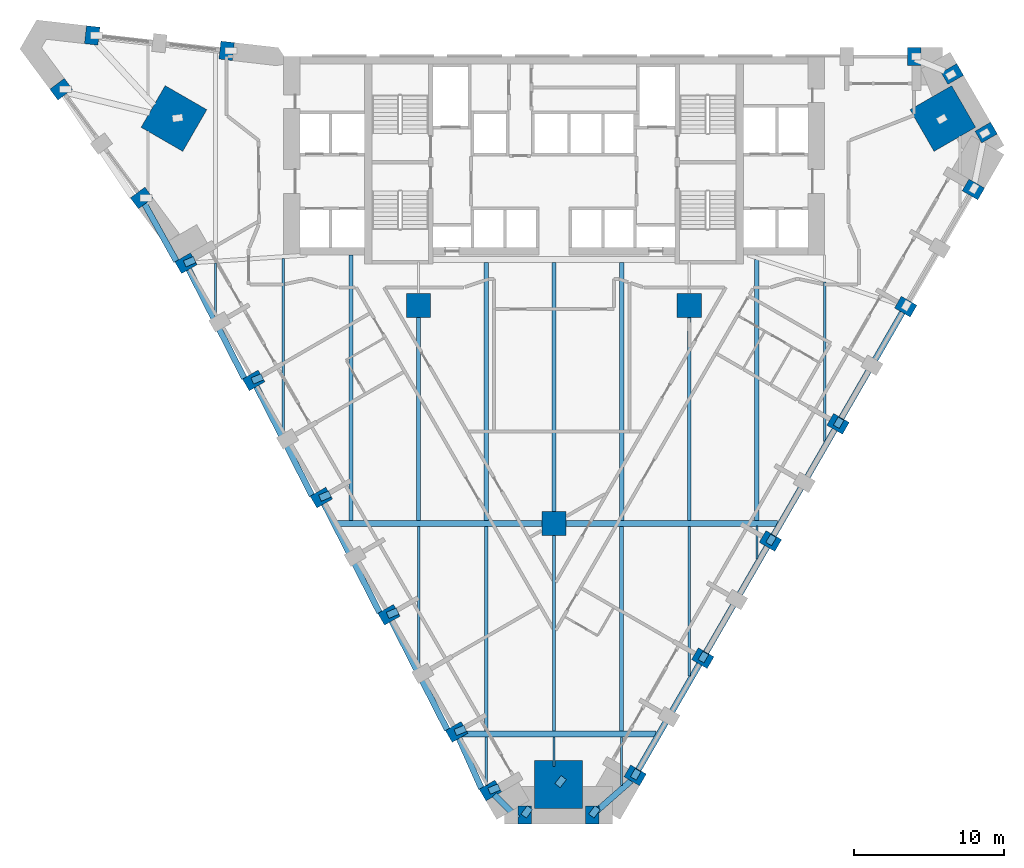
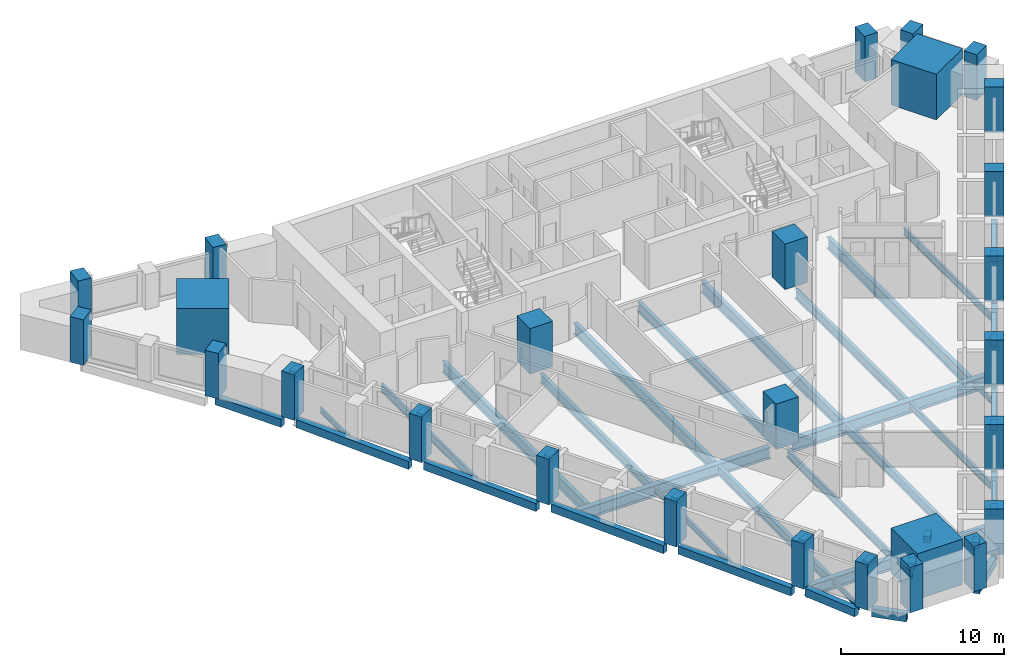
# One storey, part 1 of 10: 47 beams, 27 columns.
"""IFC4 building model written with IfcOpenShell, lengths in metres."""

from ifc_helpers import new_model, si_unit, direction, frame, origin, origin_2d, place, context, subcontext, project, spatial, rectangle, i_section, extrude, material, material_profile, profile_set, type_object, element, save


model = new_model("IFC4")

# Units and contexts
model_context = context("Model", 3, precision=1e-05, world=origin(), true_north=direction((0.0, 1.0)))
body_context = subcontext(model_context, "Body", "Model", "MODEL_VIEW")
ifc_project = project(units=[si_unit("LENGTHUNIT", "METRE"), si_unit("AREAUNIT", "SQUARE_METRE"), si_unit("VOLUMEUNIT", "CUBIC_METRE"), si_unit("PLANEANGLEUNIT", "RADIAN"), si_unit("MASSUNIT", "GRAM", prefix="KILO")], contexts=[model_context])

# Site, building, storey
site_placement = place(None, origin())
site = spatial("IfcSite", under=ifc_project, at=site_placement, CompositionType="ELEMENT")
building_placement = place(site_placement, origin())
building = spatial("IfcBuilding", under=site, at=building_placement, Name="Calabash Gate Tower", CompositionType="ELEMENT")
storey_placement = place(building_placement, frame((0.0, 0.0, 63.0)))
storey = spatial("IfcBuildingStorey", under=building, at=storey_placement, Name="L11", CompositionType="ELEMENT", Elevation=63.0)

# Columns
ifc_material_1 = material(Name="Concrete C80/95", Category="concrete")
ifc_material_profile_1 = material_profile(ifc_material_1, rectangle(XDim=1.60009765625, YDim=1.60009765625, at=origin_2d()))
ifc_profile_set_1 = profile_set([ifc_material_profile_1], Name="Concrete C80/95")
column_type_1 = type_object("IfcColumnType", Name="Interior column RC 1600x1600 Concrete C80/95", PredefinedType="COLUMN", material=ifc_profile_set_1)
for number, where, z_axis, x_axis, name in (
    (1, (-9.0, 2.5, 0.0), (0.0, 0.0, 1.0), (1.0, 0.0, 0.0), "Interior column L11 I0"),
    (2, (9.0, 2.5, 0.0), (0.0, 0.0, 1.0), (1.0, 0.0, 0.0), "Interior column L11 I1"),
    (3, (0.0, -12.0, 0.0), (0.0, 0.0, 1.0), (1.0, 0.0, 0.0), "Interior column L11 I2"),
):
    element("IfcColumn", number, at=place(storey_placement, frame(where, z_axis=z_axis, x_axis=x_axis)), inside=storey, type_object=column_type_1, Name=name, PredefinedType="COLUMN", context=body_context, shape_type="SweptSolid", body=[
        extrude(rectangle(XDim=1.60009765625, YDim=1.60009765625, at=origin_2d()), origin(), (0.0, 0.0, 1.0), 3.39990234375),
    ])
ifc_material_2 = material(Name="Concrete C80/95", Category="concrete")
ifc_material_profile_2 = material_profile(ifc_material_2, rectangle(XDim=3.199951171875, YDim=3.199951171875, at=origin_2d()))
ifc_profile_set_2 = profile_set([ifc_material_profile_2], Name="Concrete C80/95")
column_type_2 = type_object("IfcColumnType", Name="Mega column RC 3200x3200 Concrete C80/95", PredefinedType="COLUMN", material=ifc_profile_set_2)
for number, where, z_axis, x_axis, name in (
    (4, (-25.27197265625, 14.93701171875, 0.0), (0.0, 0.0, 1.0), (0.866025412511, -0.499999984885, 0.0), "Mega column L11 NW"),
    (5, (25.868896484375, 14.93701171875, 0.0), (0.0, 0.0, 1.0), (-0.866025412511, -0.499999984885, 0.0), "Mega column L11 NE"),
    (6, (0.298095703125, -29.35400390625, 0.0), (0.0, 0.0, 1.0), (0.0, 1.0, 0.0), "Mega column L11 S"),
):
    element("IfcColumn", number, at=place(storey_placement, frame(where, z_axis=z_axis, x_axis=x_axis)), inside=storey, type_object=column_type_2, Name=name, PredefinedType="COLUMN", context=body_context, shape_type="SweptSolid", body=[
        extrude(rectangle(XDim=3.199951171875, YDim=3.199951171875, at=origin_2d()), origin(), (0.0, 0.0, 1.0), 3.39990234375),
    ])
ifc_material_3 = material(Name="Concrete C70/85", Category="concrete")
ifc_material_profile_3 = material_profile(ifc_material_3, rectangle(XDim=0.89990234375, YDim=1.199951171875, at=origin_2d()))
ifc_profile_set_3 = profile_set([ifc_material_profile_3], Name="Concrete C70/85")
column_type_3 = type_object("IfcColumnType", Name="Perimeter column RC 900x1200 Concrete C70/85", PredefinedType="COLUMN", material=ifc_profile_set_3)
for number, where, z_axis, x_axis, name in (
    (7, (-24.469970703125, 5.31103515625, 0.0), (0.0, 0.0, 1.0), (0.500000015115, -0.866025395058, 0.0), "Perimeter column L11 P00"),
    (8, (-19.969970703125, -2.48291015625, 0.0), (0.0, 0.0, 1.0), (0.500000015115, -0.866025395058, 0.0), "Perimeter column L11 P01"),
    (9, (-15.469970703125, -10.277099609375, 0.0), (0.0, 0.0, 1.0), (0.500000015115, -0.866025395058, 0.0), "Perimeter column L11 P02"),
    (10, (-10.969970703125, -18.072021484375, 0.0), (0.0, 0.0, 1.0), (0.500000015115, -0.866025395058, 0.0), "Perimeter column L11 P03"),
    (11, (-6.469970703125, -25.865966796875, 0.0), (0.0, 0.0, 1.0), (0.500000015115, -0.866025395058, 0.0), "Perimeter column L11 P04"),
    (12, (-4.219970703125, -29.762939453125, 0.0), (0.0, 0.0, 1.0), (0.500000015115, -0.866025395058, 0.0), "Perimeter column L11 P05"),
    (13, (-1.951904296875, -31.3798828125, 0.0), (0.0, 0.0, 1.0), (1.0, 0.0, 0.0), "Perimeter column L11 P06"),
    (14, (2.548095703125, -31.3798828125, 0.0), (0.0, 0.0, 1.0), (1.0, 0.0, 0.0), "Perimeter column L11 P07"),
    (15, (5.39892578125, -28.7529296875, 0.0), (0.0, 0.0, 1.0), (0.500000015115, 0.866025395058, 0.0), "Perimeter column L11 P08"),
    (16, (9.89892578125, -20.958984375, 0.0), (0.0, 0.0, 1.0), (0.500000015115, 0.866025395058, 0.0), "Perimeter column L11 P09"),
    (17, (14.39892578125, -13.1630859375, 0.0), (0.0, 0.0, 1.0), (0.500000015115, 0.866025395058, 0.0), "Perimeter column L11 P10"),
    (18, (18.89892578125, -5.37109375, 0.0), (0.0, 0.0, 1.0), (0.500000015115, 0.866025395058, 0.0), "Perimeter column L11 P11"),
    (19, (23.39892578125, 2.423095703125, 0.0), (0.0, 0.0, 1.0), (0.500000015115, 0.866025395058, 0.0), "Perimeter column L11 P12"),
    (20, (27.89892578125, 10.218017578125, 0.0), (0.0, 0.0, 1.0), (0.500000015115, 0.866025395058, 0.0), "Perimeter column L11 P13"),
    (21, (28.748046875, 14.0, 0.0), (0.0, 0.0, 1.0), (-0.499999984885, 0.866025412511, 0.0), "Perimeter column L11 P14"),
    (22, (26.498046875, 17.89697265625, 0.0), (0.0, 0.0, 1.0), (-0.499999984885, 0.866025412511, 0.0), "Perimeter column L11 P15"),
    (23, (23.964111328125, 19.052978515625, 0.0), (0.0, 0.0, 1.0), (-1.0, 0.0, 0.0), "Perimeter column L11 P16"),
    (24, (-21.77001953125, 19.43798828125, 0.0), (0.0, 0.0, 1.0), (-0.993506319736, 0.113776942504, 0.0), "Perimeter column L11 P17"),
    (25, (-30.7119140625, 20.4619140625, 0.0), (0.0, 0.0, 1.0), (-0.993506319736, 0.113776942504, 0.0), "Perimeter column L11 P18"),
    (26, (-32.778076171875, 16.883056640625, 0.0), (0.0, 0.0, 1.0), (0.595286896465, -0.80351323007, 0.0), "Perimeter column L11 P19"),
    (27, (-27.4208984375, 9.65087890625, 0.0), (0.0, 0.0, 1.0), (0.595286896465, -0.80351323007, 0.0), "Perimeter column L11 P20"),
):
    element("IfcColumn", number, at=place(storey_placement, frame(where, z_axis=z_axis, x_axis=x_axis)), inside=storey, type_object=column_type_3, Name=name, PredefinedType="COLUMN", context=body_context, shape_type="SweptSolid", body=[
        extrude(rectangle(XDim=0.89990234375, YDim=1.199951171875, at=origin_2d()), origin(), (0.0, 0.0, 1.0), 3.39990234375),
    ])

# Beams
ifc_material_4 = material(Name="Concrete C80/95", Category="concrete")
ifc_material_profile_4 = material_profile(ifc_material_4, rectangle(XDim=0.449951171875, YDim=0.449951171875, at=origin_2d()))
ifc_profile_set_4 = profile_set([ifc_material_profile_4], Name="Concrete C80/95")
beam_type_1 = type_object("IfcBeamType", Name="Column offset link RC 450x450 Concrete C80/95", PredefinedType="BEAM", material=ifc_profile_set_4)
for number, where, z_axis, x_axis, name in (
    (28, (-24.56201171875, 5.27197265625, 3.00390625), (0.922112578583, 0.386921687709, 0.0), (-0.386921687709, 0.922112578583, 0.0), "Column offset link L11 P00"),
    (29, (-20.06201171875, -2.52197265625, 3.00390625), (0.922112578583, 0.386921687709, 0.0), (-0.386921687709, 0.922112578583, 0.0), "Column offset link L11 P01"),
    (30, (-15.56201171875, -10.31591796875, 3.00390625), (0.922233326358, 0.386633795412, 0.0), (-0.386633795412, 0.922233326358, 0.0), "Column offset link L11 P02"),
    (31, (-11.06201171875, -18.110107421875, 3.00390625), (0.922112578583, 0.386921687709, 0.0), (-0.386921687709, 0.922112578583, 0.0), "Column offset link L11 P03"),
):
    element("IfcBeam", number, at=place(storey_placement, frame(where, z_axis=z_axis, x_axis=x_axis)), inside=storey, type_object=beam_type_1, Name=name, PredefinedType="BEAM", context=body_context, shape_type="SweptSolid", body=[
        extrude(rectangle(XDim=0.449951171875, YDim=0.449951171875, at=origin_2d()), origin(), (0.0, 0.0, 1.0), 0.72119140625),
    ])
beam_1_placement = place(storey_placement, frame((-6.56201171875, -25.903076171875, 3.00390625), z_axis=(0.923076923077, 0.384615384615, 0.0), x_axis=(-0.384615384615, 0.923076923077, 0.0)))
element("IfcBeam", 32, at=beam_1_placement, inside=storey, type_object=beam_type_1, Name="Column offset link L11 P04", PredefinedType="BEAM", context=body_context, shape_type="SweptSolid", body=[
    extrude(rectangle(XDim=0.449951171875, YDim=0.449951171875, at=origin_2d()), origin(), (0.0, 0.0, 1.0), 0.720458984375),
])
beam_2_placement = place(storey_placement, frame((-4.31201171875, -29.802001953125, 3.00390625), z_axis=(0.922112578583, 0.386921687709, 0.0), x_axis=(-0.386921687709, 0.922112578583, 0.0)))
element("IfcBeam", 33, at=beam_2_placement, inside=storey, type_object=beam_type_1, Name="Column offset link L11 P05", PredefinedType="BEAM", context=body_context, shape_type="SweptSolid", body=[
    extrude(rectangle(XDim=0.449951171875, YDim=0.449951171875, at=origin_2d()), origin(), (0.0, 0.0, 1.0), 0.72119140625),
])
for number, where, z_axis, x_axis, name in (
    (34, (-2.010986328125, -31.4599609375, 3.00390625), (0.595194215099, 0.803581885257, 0.0), (-0.803581885257, 0.595194215099, 0.0), "Column offset link L11 P06"),
    (35, (2.489013671875, -31.4599609375, 3.00390625), (0.595194215099, 0.803581885257, 0.0), (-0.803581885257, 0.595194215099, 0.0), "Column offset link L11 P07"),
):
    element("IfcBeam", number, at=place(storey_placement, frame(where, z_axis=z_axis, x_axis=x_axis)), inside=storey, type_object=beam_type_1, Name=name, PredefinedType="BEAM", context=body_context, shape_type="SweptSolid", body=[
        extrude(rectangle(XDim=0.449951171875, YDim=0.449951171875, at=origin_2d()), origin(), (0.0, 0.0, 1.0), 0.70068359375),
    ])
beam_3_placement = place(storey_placement, frame((5.282958984375, -28.9541015625, 3.00390625), z_axis=(0.500225913189, 0.86589493345, 0.0), x_axis=(-0.86589493345, 0.500225913189, 0.0)))
element("IfcBeam", 36, at=beam_3_placement, inside=storey, type_object=beam_type_1, Name="Column offset link L11 P08", PredefinedType="BEAM", context=body_context, shape_type="SweptSolid", body=[
    extrude(rectangle(XDim=0.449951171875, YDim=0.449951171875, at=origin_2d()), origin(), (0.0, 0.0, 1.0), 0.629638671875),
])
for number, where, z_axis, x_axis, name in (
    (37, (9.782958984375, -21.159912109375, 3.00390625), (0.49972245349, 0.866185586049, 0.0), (-0.866185586049, 0.49972245349, 0.0), "Column offset link L11 P09"),
    (38, (14.282958984375, -13.365966796875, 3.00390625), (0.49972245349, 0.866185586049, 0.0), (-0.866185586049, 0.49972245349, 0.0), "Column offset link L11 P10"),
):
    element("IfcBeam", number, at=place(storey_placement, frame(where, z_axis=z_axis, x_axis=x_axis)), inside=storey, type_object=beam_type_1, Name=name, PredefinedType="BEAM", context=body_context, shape_type="SweptSolid", body=[
        extrude(rectangle(XDim=0.449951171875, YDim=0.449951171875, at=origin_2d()), origin(), (0.0, 0.0, 1.0), 0.630126953125),
    ])
beam_4_placement = place(storey_placement, frame((18.782958984375, -5.571044921875, 3.00390625), z_axis=(0.500225913189, 0.86589493345, 0.0), x_axis=(-0.86589493345, 0.500225913189, 0.0)))
element("IfcBeam", 39, at=beam_4_placement, inside=storey, type_object=beam_type_1, Name="Column offset link L11 P11", PredefinedType="BEAM", context=body_context, shape_type="SweptSolid", body=[
    extrude(rectangle(XDim=0.449951171875, YDim=0.449951171875, at=origin_2d()), origin(), (0.0, 0.0, 1.0), 0.629638671875),
])
beam_5_placement = place(storey_placement, frame((0.236083984375, -29.43310546875, 3.00390625), z_axis=(0.617695248054, 0.78641756118, 0.0), x_axis=(-0.78641756118, 0.617695248054, 0.0)))
element("IfcBeam", 40, at=beam_5_placement, inside=storey, type_object=beam_type_1, Name="Column offset link L11 S", PredefinedType="BEAM", context=body_context, shape_type="SweptSolid", body=[
    extrude(rectangle(XDim=0.449951171875, YDim=0.449951171875, at=origin_2d()), origin(), (0.0, 0.0, 1.0), 0.682861328125),
])
ifc_material_5 = material(Name="Concrete C60/75", Category="concrete")
ifc_material_profile_5 = material_profile(ifc_material_5, rectangle(XDim=0.39990234375, YDim=0.60009765625, at=origin_2d()))
ifc_profile_set_5 = profile_set([ifc_material_profile_5], Name="Concrete C60/75")
beam_type_2 = type_object("IfcBeamType", Name="Edge beam RC 400x600 Concrete C60/75", PredefinedType="BEAM", material=ifc_profile_set_5)
beam_6_placement = place(storey_placement, frame((-19.822998046875, -2.822998046875, -0.469970703125), z_axis=(0.454264260372, -0.890866983196, 0.0), x_axis=(0.890866983196, 0.454264260372, 0.0)))
element("IfcBeam", 41, at=beam_6_placement, inside=storey, type_object=beam_type_2, Name="Edge beam L11 1", PredefinedType="BEAM", context=body_context, shape_type="SweptSolid", body=[
    extrude(rectangle(XDim=0.39990234375, YDim=0.60009765625, at=origin_2d()), origin(), (0.0, 0.0, 1.0), 8.2109375),
])
for number, where, z_axis, x_axis, name in (
    (42, (-15.322998046875, -10.618896484375, -0.469970703125), (0.454360539812, -0.890817882545, 0.0), (0.890817882545, 0.454360539812, 0.0), "Edge beam L11 2"),
    (43, (-10.822998046875, -18.4130859375, -0.469970703125), (0.454360539812, -0.890817882545, 0.0), (0.890817882545, 0.454360539812, 0.0), "Edge beam L11 3"),
):
    element("IfcBeam", number, at=place(storey_placement, frame(where, z_axis=z_axis, x_axis=x_axis)), inside=storey, type_object=beam_type_2, Name=name, PredefinedType="BEAM", context=body_context, shape_type="SweptSolid", body=[
        extrude(rectangle(XDim=0.39990234375, YDim=0.60009765625, at=origin_2d()), origin(), (0.0, 0.0, 1.0), 8.209228515625),
    ])
beam_7_placement = place(storey_placement, frame((-6.345947265625, -26.2080078125, -0.469970703125), z_axis=(0.407168420861, -0.913353095497, 0.0), x_axis=(0.913353095497, 0.407168420861, 0.0)))
element("IfcBeam", 44, at=beam_7_placement, inside=storey, type_object=beam_type_2, Name="Edge beam L11 4", PredefinedType="BEAM", context=body_context, shape_type="SweptSolid", body=[
    extrude(rectangle(XDim=0.39990234375, YDim=0.60009765625, at=origin_2d()), origin(), (0.0, 0.0, 1.0), 3.738037109375),
])
beam_8_placement = place(storey_placement, frame((-3.968017578125, -30.0458984375, -0.469970703125), z_axis=(0.710457811309, -0.703739794491, 0.0), x_axis=(0.703739794491, 0.710457811309, 0.0)))
element("IfcBeam", 45, at=beam_8_placement, inside=storey, type_object=beam_type_2, Name="Edge beam L11 5", PredefinedType="BEAM", context=body_context, shape_type="SweptSolid", body=[
    extrude(rectangle(XDim=0.39990234375, YDim=0.60009765625, at=origin_2d()), origin(), (0.0, 0.0, 1.0), 2.216796875),
])
beam_9_placement = place(storey_placement, frame((2.681884765625, -31.26904296875, -0.469970703125), z_axis=(0.750281511821, 0.66111848637, 0.0), x_axis=(-0.66111848637, 0.750281511821, 0.0)))
element("IfcBeam", 46, at=beam_9_placement, inside=storey, type_object=beam_type_2, Name="Edge beam L11 6", PredefinedType="BEAM", context=body_context, shape_type="SweptSolid", body=[
    extrude(rectangle(XDim=0.39990234375, YDim=0.60009765625, at=origin_2d()), origin(), (0.0, 0.0, 1.0), 3.27490234375),
])
for number, where, z_axis, x_axis, name in (
    (47, (5.468017578125, -28.634033203125, -0.469970703125), (0.499990825162, 0.866030700815, 0.0), (-0.866030700815, 0.499990825162, 0.0), "Edge beam L11 7"),
    (48, (9.968017578125, -20.840087890625, -0.469970703125), (0.499990825162, 0.866030700815, 0.0), (-0.866030700815, 0.499990825162, 0.0), "Edge beam L11 8"),
):
    element("IfcBeam", number, at=place(storey_placement, frame(where, z_axis=z_axis, x_axis=x_axis)), inside=storey, type_object=beam_type_2, Name=name, PredefinedType="BEAM", context=body_context, shape_type="SweptSolid", body=[
        extrude(rectangle(XDim=0.39990234375, YDim=0.60009765625, at=origin_2d()), origin(), (0.0, 0.0, 1.0), 8.426025390625),
    ])
for number, where, z_axis, x_axis, name in (
    (49, (14.468017578125, -13.0458984375, -0.469970703125), (0.500003371769, 0.866023457084, 0.0), (-0.866023457084, 0.500003371769, 0.0), "Edge beam L11 9"),
    (50, (18.968017578125, -5.2509765625, -0.469970703125), (0.500003371769, 0.866023457084, 0.0), (-0.866023457084, 0.500003371769, 0.0), "Edge beam L11 10"),
):
    element("IfcBeam", number, at=place(storey_placement, frame(where, z_axis=z_axis, x_axis=x_axis)), inside=storey, type_object=beam_type_2, Name=name, PredefinedType="BEAM", context=body_context, shape_type="SweptSolid", body=[
        extrude(rectangle(XDim=0.39990234375, YDim=0.60009765625, at=origin_2d()), origin(), (0.0, 0.0, 1.0), 8.42578125),
    ])
beam_10_placement = place(storey_placement, frame((-27.402099609375, 9.56396484375, -0.469970703125), z_axis=(0.48667111806, -0.873585269362, 0.0), x_axis=(0.873585269362, 0.48667111806, 0.0)))
element("IfcBeam", 51, at=beam_10_placement, inside=storey, type_object=beam_type_2, Name="Edge beam L11 18", PredefinedType="BEAM", context=body_context, shape_type="SweptSolid", body=[
    extrude(rectangle(XDim=0.39990234375, YDim=0.60009765625, at=origin_2d()), origin(), (0.0, 0.0, 1.0), 4.716064453125),
])
beam_11_placement = place(storey_placement, frame((-24.322998046875, 4.969970703125, -0.469970703125), z_axis=(0.454360539812, -0.890817882545, 0.0), x_axis=(0.890817882545, 0.454360539812, 0.0)))
element("IfcBeam", 52, at=beam_11_placement, inside=storey, type_object=beam_type_2, Name="Edge beam L11 19", PredefinedType="BEAM", context=body_context, shape_type="SweptSolid", body=[
    extrude(rectangle(XDim=0.39990234375, YDim=0.60009765625, at=origin_2d()), origin(), (0.0, 0.0, 1.0), 8.209228515625),
])
ifc_material_6 = material(Name="Steel ASTM A992 Gr50", Category="steel")
ifc_material_profile_6 = material_profile(ifc_material_6, i_section(OverallWidth=0.1396484375, OverallDepth=0.398681640625, WebThickness=0.00634765625, FlangeThickness=0.0087890625, FilletRadius=0.01025390625, at=origin_2d()))
ifc_profile_set_6 = profile_set([ifc_material_profile_6], Name="Steel ASTM A992 Gr50")
beam_type_3 = type_object("IfcBeamType", Name="Floor beam W16x26 ASTM A992 Gr50", PredefinedType="BEAM", material=ifc_profile_set_6)
beam_12_placement = place(storey_placement, frame((-22.5, 1.806884765625, -0.368896484375), z_axis=(0.0, 1.0, 0.0), x_axis=(-1.0, 0.0, 0.0)))
element("IfcBeam", 53, at=beam_12_placement, inside=storey, type_object=beam_type_3, Name="Floor beam L11 3", PredefinedType="BEAM", context=body_context, shape_type="SweptSolid", body=[
    extrude(i_section(OverallWidth=0.1396484375, OverallDepth=0.398681640625, WebThickness=0.00634765625, FlangeThickness=0.0087890625, FilletRadius=0.01025390625, at=origin_2d()), origin(), (0.0, 0.0, 1.0), 3.525146484375),
])
beam_13_placement = place(storey_placement, frame((-4.5, -29.428955078125, -0.368896484375), z_axis=(0.0, 1.0, 0.0), x_axis=(-1.0, 0.0, 0.0)))
element("IfcBeam", 54, at=beam_13_placement, inside=storey, type_object=beam_type_3, Name="Floor beam L11 10", PredefinedType="BEAM", context=body_context, shape_type="SweptSolid", body=[
    extrude(i_section(OverallWidth=0.1396484375, OverallDepth=0.398681640625, WebThickness=0.00634765625, FlangeThickness=0.0087890625, FilletRadius=0.01025390625, at=origin_2d()), origin(), (0.0, 0.0, 1.0), 3.22998046875),
])
beam_14_placement = place(storey_placement, frame((0.0, -28.14599609375, -0.368896484375), z_axis=(0.0, 1.0, 0.0), x_axis=(-1.0, 0.0, 0.0)))
element("IfcBeam", 55, at=beam_14_placement, inside=storey, type_object=beam_type_3, Name="Floor beam L11 13", PredefinedType="BEAM", context=body_context, shape_type="SweptSolid", body=[
    extrude(i_section(OverallWidth=0.1396484375, OverallDepth=0.398681640625, WebThickness=0.00634765625, FlangeThickness=0.0087890625, FilletRadius=0.01025390625, at=origin_2d()), origin(), (0.0, 0.0, 1.0), 1.947021484375),
])
beam_15_placement = place(storey_placement, frame((4.5, -29.431884765625, -0.368896484375), z_axis=(0.0, 1.0, 0.0), x_axis=(-1.0, 0.0, 0.0)))
element("IfcBeam", 56, at=beam_15_placement, inside=storey, type_object=beam_type_3, Name="Floor beam L11 16", PredefinedType="BEAM", context=body_context, shape_type="SweptSolid", body=[
    extrude(i_section(OverallWidth=0.1396484375, OverallDepth=0.398681640625, WebThickness=0.00634765625, FlangeThickness=0.0087890625, FilletRadius=0.01025390625, at=origin_2d()), origin(), (0.0, 0.0, 1.0), 3.23291015625),
])
beam_16_placement = place(storey_placement, frame((13.5, -14.35400390625, -0.368896484375), z_axis=(0.0, 1.0, 0.0), x_axis=(-1.0, 0.0, 0.0)))
element("IfcBeam", 57, at=beam_16_placement, inside=storey, type_object=beam_type_3, Name="Floor beam L11 22", PredefinedType="BEAM", context=body_context, shape_type="SweptSolid", body=[
    extrude(i_section(OverallWidth=0.1396484375, OverallDepth=0.398681640625, WebThickness=0.00634765625, FlangeThickness=0.0087890625, FilletRadius=0.01025390625, at=origin_2d()), origin(), (0.0, 0.0, 1.0), 2.176025390625),
])
ifc_material_7 = material(Name="Steel ASTM A992 Gr50", Category="steel")
ifc_material_profile_7 = material_profile(ifc_material_7, i_section(OverallWidth=0.15234375, OverallDepth=0.44970703125, WebThickness=0.007568359375, FlangeThickness=0.0107421875, FilletRadius=0.01025390625, at=origin_2d()))
ifc_profile_set_7 = profile_set([ifc_material_profile_7], Name="Steel ASTM A992 Gr50")
beam_type_4 = type_object("IfcBeamType", Name="Floor beam W18x35 ASTM A992 Gr50", PredefinedType="BEAM", material=ifc_profile_set_7)
beam_17_placement = place(storey_placement, frame((-9.0, -21.572998046875, -0.39306640625), z_axis=(0.0, 1.0, 0.0), x_axis=(-1.0, 0.0, 0.0)))
element("IfcBeam", 58, at=beam_17_placement, inside=storey, type_object=beam_type_4, Name="Floor beam L11 7", PredefinedType="BEAM", context=body_context, shape_type="SweptSolid", body=[
    extrude(i_section(OverallWidth=0.15234375, OverallDepth=0.44970703125, WebThickness=0.007568359375, FlangeThickness=0.0107421875, FilletRadius=0.01025390625, at=origin_2d()), origin(), (0.0, 0.0, 1.0), 9.3740234375),
])
ifc_material_8 = material(Name="Steel ASTM A992 Gr50", Category="steel")
ifc_material_profile_8 = material_profile(ifc_material_8, i_section(OverallWidth=0.166015625, OverallDepth=0.5283203125, WebThickness=0.009765625, FlangeThickness=0.013671875, FilletRadius=0.0126953125, at=origin_2d()))
ifc_profile_set_8 = profile_set([ifc_material_profile_8], Name="Steel ASTM A992 Gr50")
beam_type_5 = type_object("IfcBeamType", Name="Floor beam W21x50 ASTM A992 Gr50", PredefinedType="BEAM", material=ifc_profile_set_8)
beam_18_placement = place(storey_placement, frame((9.0, -22.14892578125, -0.43408203125), z_axis=(0.0, 1.0, 0.0), x_axis=(-1.0, 0.0, 0.0)))
element("IfcBeam", 59, at=beam_18_placement, inside=storey, type_object=beam_type_5, Name="Floor beam L11 19", PredefinedType="BEAM", context=body_context, shape_type="SweptSolid", body=[
    extrude(i_section(OverallWidth=0.166015625, OverallDepth=0.5283203125, WebThickness=0.009765625, FlangeThickness=0.013671875, FilletRadius=0.0126953125, at=origin_2d()), origin(), (0.0, 0.0, 1.0), 9.93896484375),
])
beam_19_placement = place(storey_placement, frame((18.0, -6.56005859375, -0.43408203125), z_axis=(0.0, 1.0, 0.0), x_axis=(-1.0, 0.0, 0.0)))
element("IfcBeam", 60, at=beam_19_placement, inside=storey, type_object=beam_type_5, Name="Floor beam L11 24", PredefinedType="BEAM", context=body_context, shape_type="SweptSolid", body=[
    extrude(i_section(OverallWidth=0.166015625, OverallDepth=0.5283203125, WebThickness=0.009765625, FlangeThickness=0.013671875, FilletRadius=0.0126953125, at=origin_2d()), origin(), (0.0, 0.0, 1.0), 10.631103515625),
])
ifc_material_9 = material(Name="Steel ASTM A992 Gr50", Category="steel")
ifc_material_profile_9 = material_profile(ifc_material_9, i_section(OverallWidth=0.1787109375, OverallDepth=0.60205078125, WebThickness=0.010986328125, FlangeThickness=0.014892578125, FilletRadius=0.0126953125, at=origin_2d()))
ifc_profile_set_9 = profile_set([ifc_material_profile_9], Name="Steel ASTM A992 Gr50")
beam_type_6 = type_object("IfcBeamType", Name="Floor beam W24x62 ASTM A992 Gr50", PredefinedType="BEAM", material=ifc_profile_set_9)
beam_20_placement = place(storey_placement, frame((-18.0, -5.987060546875, -0.470947265625), z_axis=(0.0, 1.0, 0.0), x_axis=(-1.0, 0.0, 0.0)))
element("IfcBeam", 61, at=beam_20_placement, inside=storey, type_object=beam_type_6, Name="Floor beam L11 5", PredefinedType="BEAM", context=body_context, shape_type="SweptSolid", body=[
    extrude(i_section(OverallWidth=0.1787109375, OverallDepth=0.60205078125, WebThickness=0.010986328125, FlangeThickness=0.014892578125, FilletRadius=0.0126953125, at=origin_2d()), origin(), (0.0, 0.0, 1.0), 11.623046875),
])
beam_21_placement = place(storey_placement, frame((0.0, -25.801025390625, -0.470947265625), z_axis=(0.0, 1.0, 0.0), x_axis=(-1.0, 0.0, 0.0)))
element("IfcBeam", 62, at=beam_21_placement, inside=storey, type_object=beam_type_6, Name="Floor beam L11 14", PredefinedType="BEAM", context=body_context, shape_type="SweptSolid", body=[
    extrude(i_section(OverallWidth=0.1787109375, OverallDepth=0.60205078125, WebThickness=0.010986328125, FlangeThickness=0.014892578125, FilletRadius=0.0126953125, at=origin_2d()), origin(), (0.0, 0.0, 1.0), 13.0009765625),
])
ifc_material_10 = material(Name="Steel ASTM A992 Gr50", Category="steel")
ifc_material_profile_10 = material_profile(ifc_material_10, i_section(OverallWidth=0.25390625, OverallDepth=0.67822265625, WebThickness=0.01171875, FlangeThickness=0.016357421875, FilletRadius=0.01513671875, at=origin_2d()))
ifc_profile_set_10 = profile_set([ifc_material_profile_10], Name="Steel ASTM A992 Gr50")
beam_type_7 = type_object("IfcBeamType", Name="Floor beam W27x84 ASTM A992 Gr50", PredefinedType="BEAM", material=ifc_profile_set_10)
beam_22_placement = place(storey_placement, frame((-9.0, -11.801025390625, -0.509033203125), z_axis=(0.0, 1.0, 0.0), x_axis=(-1.0, 0.0, 0.0)))
element("IfcBeam", 63, at=beam_22_placement, inside=storey, type_object=beam_type_7, Name="Floor beam L11 8", PredefinedType="BEAM", context=body_context, shape_type="SweptSolid", body=[
    extrude(i_section(OverallWidth=0.25390625, OverallDepth=0.67822265625, WebThickness=0.01171875, FlangeThickness=0.016357421875, FilletRadius=0.01513671875, at=origin_2d()), origin(), (0.0, 0.0, 1.0), 13.5009765625),
])
beam_23_placement = place(storey_placement, frame((-4.5, -25.801025390625, -0.509033203125), z_axis=(0.0, 1.0, 0.0), x_axis=(-1.0, 0.0, 0.0)))
element("IfcBeam", 64, at=beam_23_placement, inside=storey, type_object=beam_type_7, Name="Floor beam L11 11", PredefinedType="BEAM", context=body_context, shape_type="SweptSolid", body=[
    extrude(i_section(OverallWidth=0.25390625, OverallDepth=0.67822265625, WebThickness=0.01171875, FlangeThickness=0.016357421875, FilletRadius=0.01513671875, at=origin_2d()), origin(), (0.0, 0.0, 1.0), 13.60205078125),
])
beam_24_placement = place(storey_placement, frame((4.5, -25.801025390625, -0.509033203125), z_axis=(0.0, 1.0, 0.0), x_axis=(-1.0, 0.0, 0.0)))
element("IfcBeam", 65, at=beam_24_placement, inside=storey, type_object=beam_type_7, Name="Floor beam L11 17", PredefinedType="BEAM", context=body_context, shape_type="SweptSolid", body=[
    extrude(i_section(OverallWidth=0.25390625, OverallDepth=0.67822265625, WebThickness=0.01171875, FlangeThickness=0.016357421875, FilletRadius=0.01513671875, at=origin_2d()), origin(), (0.0, 0.0, 1.0), 13.591064453125),
])
beam_25_placement = place(storey_placement, frame((9.0, -11.7900390625, -0.509033203125), z_axis=(0.0, 1.0, 0.0), x_axis=(-1.0, 0.0, 0.0)))
element("IfcBeam", 66, at=beam_25_placement, inside=storey, type_object=beam_type_7, Name="Floor beam L11 20", PredefinedType="BEAM", context=body_context, shape_type="SweptSolid", body=[
    extrude(i_section(OverallWidth=0.25390625, OverallDepth=0.67822265625, WebThickness=0.01171875, FlangeThickness=0.016357421875, FilletRadius=0.01513671875, at=origin_2d()), origin(), (0.0, 0.0, 1.0), 13.489990234375),
])
ifc_material_11 = material(Name="Steel ASTM A992 Gr50", Category="steel")
ifc_material_profile_11 = material_profile(ifc_material_11, i_section(OverallWidth=0.2666015625, OverallDepth=0.7568359375, WebThickness=0.013916015625, FlangeThickness=0.019287109375, FilletRadius=0.0166015625, at=origin_2d()))
ifc_profile_set_11 = profile_set([ifc_material_profile_11], Name="Steel ASTM A992 Gr50")
beam_type_8 = type_object("IfcBeamType", Name="Floor beam W30x108 ASTM A992 Gr50", PredefinedType="BEAM", material=ifc_profile_set_11)
beam_26_placement = place(storey_placement, frame((0.0, -11.199951171875, -0.548095703125), z_axis=(0.0, 1.0, 0.0), x_axis=(-1.0, 0.0, 0.0)))
element("IfcBeam", 67, at=beam_26_placement, inside=storey, type_object=beam_type_8, Name="Floor beam L11 15", PredefinedType="BEAM", context=body_context, shape_type="SweptSolid", body=[
    extrude(i_section(OverallWidth=0.2666015625, OverallDepth=0.7568359375, WebThickness=0.013916015625, FlangeThickness=0.019287109375, FilletRadius=0.0166015625, at=origin_2d()), origin(), (0.0, 0.0, 1.0), 16.552001953125),
])
ifc_material_12 = material(Name="Steel ASTM A992 Gr50", Category="steel")
ifc_material_profile_12 = material_profile(ifc_material_12, i_section(OverallWidth=0.2919921875, OverallDepth=0.845703125, WebThickness=0.015380859375, FlangeThickness=0.0244140625, FilletRadius=0.017822265625, at=origin_2d()))
ifc_profile_set_12 = profile_set([ifc_material_profile_12], Name="Steel ASTM A992 Gr50")
beam_type_9 = type_object("IfcBeamType", Name="Floor beam W33x141 ASTM A992 Gr50", PredefinedType="BEAM", material=ifc_profile_set_12)
beam_27_placement = place(storey_placement, frame((-13.5, -11.801025390625, -0.593017578125), z_axis=(0.0, 1.0, 0.0), x_axis=(-1.0, 0.0, 0.0)))
element("IfcBeam", 68, at=beam_27_placement, inside=storey, type_object=beam_type_9, Name="Floor beam L11 6", PredefinedType="BEAM", context=body_context, shape_type="SweptSolid", body=[
    extrude(i_section(OverallWidth=0.2919921875, OverallDepth=0.845703125, WebThickness=0.015380859375, FlangeThickness=0.0244140625, FilletRadius=0.017822265625, at=origin_2d()), origin(), (0.0, 0.0, 1.0), 17.654052734375),
])
beam_28_placement = place(storey_placement, frame((-4.5, -11.801025390625, -0.593017578125), z_axis=(0.0, 1.0, 0.0), x_axis=(-1.0, 0.0, 0.0)))
element("IfcBeam", 69, at=beam_28_placement, inside=storey, type_object=beam_type_9, Name="Floor beam L11 12", PredefinedType="BEAM", context=body_context, shape_type="SweptSolid", body=[
    extrude(i_section(OverallWidth=0.2919921875, OverallDepth=0.845703125, WebThickness=0.015380859375, FlangeThickness=0.0244140625, FilletRadius=0.017822265625, at=origin_2d()), origin(), (0.0, 0.0, 1.0), 17.153076171875),
])
beam_29_placement = place(storey_placement, frame((4.5, -11.7900390625, -0.593017578125), z_axis=(0.0, 1.0, 0.0), x_axis=(-1.0, 0.0, 0.0)))
element("IfcBeam", 70, at=beam_29_placement, inside=storey, type_object=beam_type_9, Name="Floor beam L11 18", PredefinedType="BEAM", context=body_context, shape_type="SweptSolid", body=[
    extrude(i_section(OverallWidth=0.2919921875, OverallDepth=0.845703125, WebThickness=0.015380859375, FlangeThickness=0.0244140625, FilletRadius=0.017822265625, at=origin_2d()), origin(), (0.0, 0.0, 1.0), 17.14208984375),
])
beam_30_placement = place(storey_placement, frame((13.5, -11.7900390625, -0.593017578125), z_axis=(0.0, 1.0, 0.0), x_axis=(-1.0, 0.0, 0.0)))
element("IfcBeam", 71, at=beam_30_placement, inside=storey, type_object=beam_type_9, Name="Floor beam L11 23", PredefinedType="BEAM", context=body_context, shape_type="SweptSolid", body=[
    extrude(i_section(OverallWidth=0.2919921875, OverallDepth=0.845703125, WebThickness=0.015380859375, FlangeThickness=0.0244140625, FilletRadius=0.017822265625, at=origin_2d()), origin(), (0.0, 0.0, 1.0), 17.333984375),
])
ifc_material_13 = material(Name="Steel ASTM A992 Gr50", Category="steel")
ifc_material_profile_13 = material_profile(ifc_material_13, i_section(OverallWidth=0.398681640625, OverallDepth=0.85595703125, WebThickness=0.018310546875, FlangeThickness=0.029296875, FilletRadius=0.02001953125, at=origin_2d()))
ifc_profile_set_13 = profile_set([ifc_material_profile_13], Name="Steel ASTM A992 Gr50")
beam_type_10 = type_object("IfcBeamType", Name="Girder W33x201 ASTM A992 Gr50", PredefinedType="BEAM", material=ifc_profile_set_13)
beam_31_placement = place(storey_placement, frame((-14.423095703125, -12.0, -0.597900390625), z_axis=(1.0, 0.0, 0.0), x_axis=(0.0, 1.0, 0.0)))
element("IfcBeam", 72, at=beam_31_placement, inside=storey, type_object=beam_type_10, Name="Girder L11 4", PredefinedType="BEAM", context=body_context, shape_type="SweptSolid", body=[
    extrude(i_section(OverallWidth=0.398681640625, OverallDepth=0.85595703125, WebThickness=0.018310546875, FlangeThickness=0.029296875, FilletRadius=0.02001953125, at=origin_2d()), origin(), (0.0, 0.0, 1.0), 13.623046875),
])
beam_32_placement = place(storey_placement, frame((-6.323974609375, -26.0, -0.597900390625), z_axis=(1.0, 0.0, 0.0), x_axis=(0.0, 1.0, 0.0)))
element("IfcBeam", 73, at=beam_32_placement, inside=storey, type_object=beam_type_10, Name="Girder L11 6", PredefinedType="BEAM", context=body_context, shape_type="SweptSolid", body=[
    extrude(i_section(OverallWidth=0.398681640625, OverallDepth=0.85595703125, WebThickness=0.018310546875, FlangeThickness=0.029296875, FilletRadius=0.02001953125, at=origin_2d()), origin(), (0.0, 0.0, 1.0), 13.10302734375),
])
ifc_material_14 = material(Name="Steel ASTM A992 Gr50", Category="steel")
ifc_material_profile_14 = material_profile(ifc_material_14, i_section(OverallWidth=0.419189453125, OverallDepth=0.927001953125, WebThickness=0.019287109375, FlangeThickness=0.031982421875, FilletRadius=0.024169921875, at=origin_2d()))
ifc_profile_set_14 = profile_set([ifc_material_profile_14], Name="Steel ASTM A992 Gr50")
beam_type_11 = type_object("IfcBeamType", Name="Girder W36x231 ASTM A992 Gr50", PredefinedType="BEAM", material=ifc_profile_set_14)
beam_33_placement = place(storey_placement, frame((0.800048828125, -12.0, -0.634033203125), z_axis=(1.0, 0.0, 0.0), x_axis=(0.0, 1.0, 0.0)))
element("IfcBeam", 74, at=beam_33_placement, inside=storey, type_object=beam_type_11, Name="Girder L11 5", PredefinedType="BEAM", context=body_context, shape_type="SweptSolid", body=[
    extrude(i_section(OverallWidth=0.419189453125, OverallDepth=0.927001953125, WebThickness=0.019287109375, FlangeThickness=0.031982421875, FilletRadius=0.024169921875, at=origin_2d()), origin(), (0.0, 0.0, 1.0), 14.06201171875),
])

save(model, "model.ifc")
